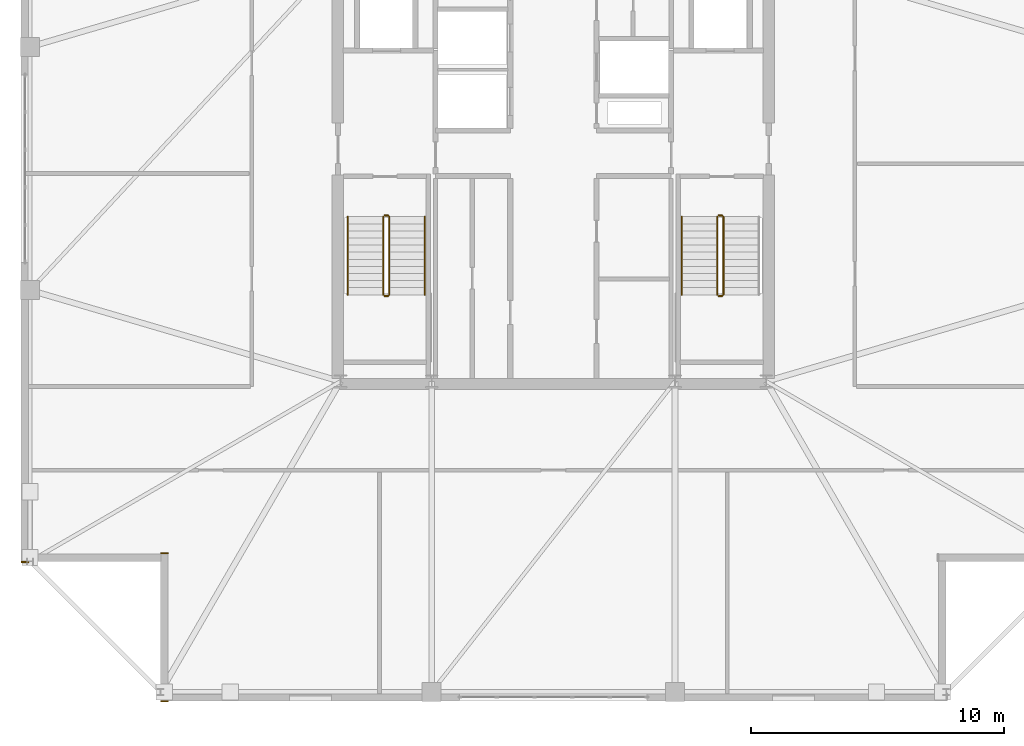
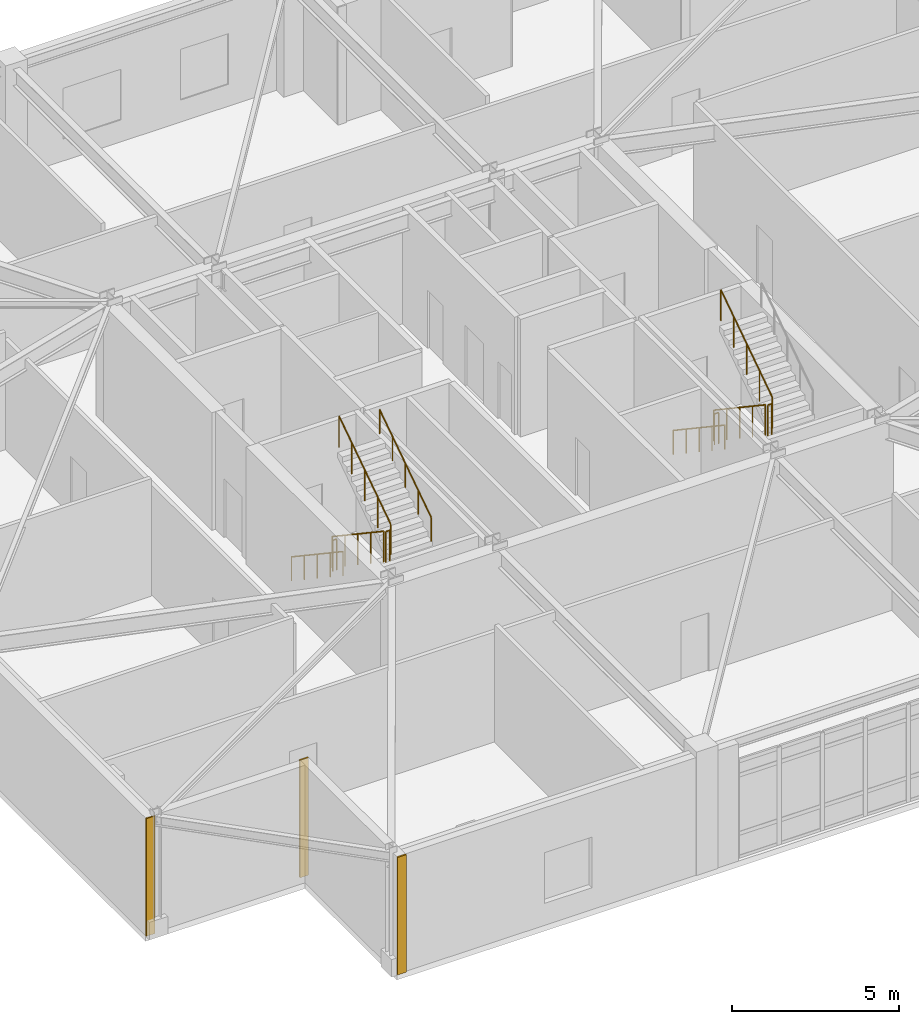
# One storey, part 14 of 16: 11 railings, 3 coverings.
"""IFC4 building model written with IfcOpenShell, lengths in metres."""

from ifc_helpers import new_model, si_unit, direction, frame, frame_2d, origin, origin_2d, place, context, subcontext, project, spatial, rectangle, circle, extrude, material, layer, layer_set, type_object, element, save


model = new_model("IFC4")

# Units and contexts
model_context = context("Model", 3, precision=1e-05, world=origin(), true_north=direction((0.0, 1.0)))
body_context = subcontext(model_context, "Body", "Model", "MODEL_VIEW")
ifc_project = project(units=[si_unit("LENGTHUNIT", "METRE"), si_unit("AREAUNIT", "SQUARE_METRE"), si_unit("VOLUMEUNIT", "CUBIC_METRE"), si_unit("PLANEANGLEUNIT", "RADIAN"), si_unit("MASSUNIT", "GRAM", prefix="KILO")], contexts=[model_context])

# Site, building, storey
site_placement = place(None, origin())
site = spatial("IfcSite", under=ifc_project, at=site_placement, CompositionType="ELEMENT")
building_placement = place(site_placement, origin())
building = spatial("IfcBuilding", under=site, at=building_placement, Name="Cairnveth Concourse Tower", CompositionType="ELEMENT")
storey_placement = place(building_placement, frame((0.0, 0.0, 315.5)))
storey = spatial("IfcBuildingStorey", under=building, at=storey_placement, Name="L87", CompositionType="ELEMENT", Elevation=315.5)

# Coverings
ifc_material_1 = material(Name="Dressed Melbourne Bluestone Cladding", Category="masonry")
ifc_layer = layer(ifc_material_1, 0.050048828125)
ifc_layer_set = layer_set([ifc_layer], Name="Dressed Melbourne Bluestone Cladding")
covering_type = type_object("IfcCoveringType", Name="DRESSED BLUESTONE PLINTH CLADDING 50", PredefinedType="CLADDING", material=ifc_layer_set)
for number, where, z_axis, x_axis, name in (
    (1, (36.800048828125, 17.97998046875, 0.0), (0.0, 0.0, 1.0), (-1.0, 0.0, 0.0), "Melbourne Bluestone Corner Quoin L87-1330"),
    (2, (36.800048828125, 23.820068359375, 0.0), (0.0, 0.0, 1.0), (-1.0, 0.0, 0.0), "Melbourne Bluestone Corner Quoin L87-1331"),
    (3, (31.300048828125, 23.47998046875, 0.0), (0.0, 0.0, 1.0), (-1.0, 0.0, 0.0), "Melbourne Bluestone Corner Quoin L87-1332"),
):
    element("IfcCovering", number, at=place(storey_placement, frame(where, z_axis=z_axis, x_axis=x_axis)), inside=storey, type_object=covering_type, Name=name, PredefinedType="CLADDING", context=body_context, shape_type="SweptSolid", body=[
        extrude(rectangle(XDim=0.300048828125, YDim=0.050048828125, at=frame_2d((0.14990234375, 0.0))), origin(), (0.0, 0.0, 1.0), 4.2900390625),
    ])

# Railings
ifc_material_2 = material(Name="Steel Grade 350", Category="steel")
railing_type_1 = type_object("IfcRailingType", Name="STAIR GUARDRAIL 1150", PredefinedType="GUARDRAIL", material=ifc_material_2)
railing_1_placement = place(storey_placement, frame((45.2900390625, 37.10009765625, 0.1875)))
element("IfcRailing", 4, at=railing_1_placement, inside=storey, type_object=railing_type_1, Name="L87 ST-1 stair guard 1", PredefinedType="GUARDRAIL", context=body_context, shape_type="SweptSolid", body=[
    extrude(circle(Radius=0.02392578125, at=origin_2d()), frame((0.0, 0.0, 1.1259765625), z_axis=(0.0, -0.830913701846, 0.55640131208), x_axis=(1.0, 0.0, 0.0)), (0.0, 0.0, 1.0), 3.706787109375),
    extrude(circle(Radius=0.02099609375, at=origin_2d()), origin(), (0.0, 0.0, 1.0), 1.101806640625),
    extrude(circle(Radius=0.02099609375, at=origin_2d()), frame((0.0, -0.77001953125, 0.515625)), (0.0, 0.0, 1.0), 1.101806640625),
    extrude(circle(Radius=0.02099609375, at=origin_2d()), frame((0.0, -1.5400390625, 1.03125)), (0.0, 0.0, 1.0), 1.101806640625),
    extrude(circle(Radius=0.02099609375, at=origin_2d()), frame((0.0, -2.31005859375, 1.546875)), (0.0, 0.0, 1.0), 1.101806640625),
    extrude(circle(Radius=0.02099609375, at=origin_2d()), frame((0.0, -3.080078125, 2.0625)), (0.0, 0.0, 1.0), 1.101806640625),
])
railing_2_placement = place(storey_placement, frame((45.340087890625, 33.969970703125, 2.25)))
element("IfcRailing", 5, at=railing_2_placement, inside=storey, type_object=railing_type_1, Name="L87 ST-1 stair guard 2", PredefinedType="GUARDRAIL", context=body_context, shape_type="SweptSolid", body=[
    extrude(circle(Radius=0.02392578125, at=origin_2d()), frame((0.0, 0.0, 1.1259765625), z_axis=(1.0, 0.0, 0.0), x_axis=(0.0, 1.0, 0.0)), (0.0, 0.0, 1.0), 0.139892578125),
    extrude(circle(Radius=0.02099609375, at=origin_2d()), origin(), (0.0, 0.0, 1.0), 1.101806640625),
    extrude(circle(Radius=0.02099609375, at=origin_2d()), frame((0.139892578125, 0.0, 0.0)), (0.0, 0.0, 1.0), 1.101806640625),
])
railing_3_placement = place(storey_placement, frame((45.530029296875, 34.02001953125, 2.4375)))
element("IfcRailing", 6, at=railing_3_placement, inside=storey, type_object=railing_type_1, Name="L87 ST-1 stair guard 3", PredefinedType="GUARDRAIL", context=body_context, shape_type="SweptSolid", body=[
    extrude(circle(Radius=0.02392578125, at=origin_2d()), frame((0.0, 0.0, 1.1259765625), z_axis=(0.0, 0.830913701846, 0.55640131208), x_axis=(-1.0, 0.0, 0.0)), (0.0, 0.0, 1.0), 3.706787109375),
    extrude(circle(Radius=0.02099609375, at=origin_2d()), origin(), (0.0, 0.0, 1.0), 1.101806640625),
    extrude(circle(Radius=0.02099609375, at=origin_2d()), frame((0.0, 0.77001953125, 0.515625)), (0.0, 0.0, 1.0), 1.101806640625),
    extrude(circle(Radius=0.02099609375, at=origin_2d()), frame((0.0, 1.5400390625, 1.03125)), (0.0, 0.0, 1.0), 1.101806640625),
    extrude(circle(Radius=0.02099609375, at=origin_2d()), frame((0.0, 2.31005859375, 1.546875)), (0.0, 0.0, 1.0), 1.101806640625),
    extrude(circle(Radius=0.02099609375, at=origin_2d()), frame((0.0, 3.080078125, 2.0625)), (0.0, 0.0, 1.0), 1.101806640625),
])
railing_4_placement = place(storey_placement, frame((45.340087890625, 37.14990234375, 0.0)))
element("IfcRailing", 7, at=railing_4_placement, inside=storey, type_object=railing_type_1, Name="L87 ST-1 stair guard 4", PredefinedType="GUARDRAIL", context=body_context, shape_type="SweptSolid", body=[
    extrude(circle(Radius=0.02392578125, at=origin_2d()), frame((0.0, 0.0, 1.1259765625), z_axis=(1.0, 0.0, 0.0), x_axis=(0.0, 1.0, 0.0)), (0.0, 0.0, 1.0), 0.139892578125),
    extrude(circle(Radius=0.02099609375, at=origin_2d()), origin(), (0.0, 0.0, 1.0), 1.101806640625),
    extrude(circle(Radius=0.02099609375, at=origin_2d()), frame((0.139892578125, 0.0, 0.0)), (0.0, 0.0, 1.0), 1.101806640625),
])
railing_5_placement = place(storey_placement, frame((58.469970703125, 37.10009765625, 0.1875)))
element("IfcRailing", 8, at=railing_5_placement, inside=storey, type_object=railing_type_1, Name="L87 ST-2 stair guard 1", PredefinedType="GUARDRAIL", context=body_context, shape_type="SweptSolid", body=[
    extrude(circle(Radius=0.02392578125, at=origin_2d()), frame((0.0, 0.0, 1.1259765625), z_axis=(0.0, -0.830913701846, 0.55640131208), x_axis=(1.0, 0.0, 0.0)), (0.0, 0.0, 1.0), 3.706787109375),
    extrude(circle(Radius=0.02099609375, at=origin_2d()), origin(), (0.0, 0.0, 1.0), 1.101806640625),
    extrude(circle(Radius=0.02099609375, at=origin_2d()), frame((0.0, -0.77001953125, 0.515625)), (0.0, 0.0, 1.0), 1.101806640625),
    extrude(circle(Radius=0.02099609375, at=origin_2d()), frame((0.0, -1.5400390625, 1.03125)), (0.0, 0.0, 1.0), 1.101806640625),
    extrude(circle(Radius=0.02099609375, at=origin_2d()), frame((0.0, -2.31005859375, 1.546875)), (0.0, 0.0, 1.0), 1.101806640625),
    extrude(circle(Radius=0.02099609375, at=origin_2d()), frame((0.0, -3.080078125, 2.0625)), (0.0, 0.0, 1.0), 1.101806640625),
])
railing_6_placement = place(storey_placement, frame((58.52001953125, 33.969970703125, 2.25)))
element("IfcRailing", 9, at=railing_6_placement, inside=storey, type_object=railing_type_1, Name="L87 ST-2 stair guard 2", PredefinedType="GUARDRAIL", context=body_context, shape_type="SweptSolid", body=[
    extrude(circle(Radius=0.02392578125, at=origin_2d()), frame((0.0, 0.0, 1.1259765625), z_axis=(1.0, 0.0, 0.0), x_axis=(0.0, 1.0, 0.0)), (0.0, 0.0, 1.0), 0.139892578125),
    extrude(circle(Radius=0.02099609375, at=origin_2d()), origin(), (0.0, 0.0, 1.0), 1.101806640625),
    extrude(circle(Radius=0.02099609375, at=origin_2d()), frame((0.139892578125, 0.0, 0.0)), (0.0, 0.0, 1.0), 1.101806640625),
])
railing_7_placement = place(storey_placement, frame((58.7099609375, 34.02001953125, 2.4375)))
element("IfcRailing", 10, at=railing_7_placement, inside=storey, type_object=railing_type_1, Name="L87 ST-2 stair guard 3", PredefinedType="GUARDRAIL", context=body_context, shape_type="SweptSolid", body=[
    extrude(circle(Radius=0.02392578125, at=origin_2d()), frame((0.0, 0.0, 1.1259765625), z_axis=(0.0, 0.830913701846, 0.55640131208), x_axis=(-1.0, 0.0, 0.0)), (0.0, 0.0, 1.0), 3.706787109375),
    extrude(circle(Radius=0.02099609375, at=origin_2d()), origin(), (0.0, 0.0, 1.0), 1.101806640625),
    extrude(circle(Radius=0.02099609375, at=origin_2d()), frame((0.0, 0.77001953125, 0.515625)), (0.0, 0.0, 1.0), 1.101806640625),
    extrude(circle(Radius=0.02099609375, at=origin_2d()), frame((0.0, 1.5400390625, 1.03125)), (0.0, 0.0, 1.0), 1.101806640625),
    extrude(circle(Radius=0.02099609375, at=origin_2d()), frame((0.0, 2.31005859375, 1.546875)), (0.0, 0.0, 1.0), 1.101806640625),
    extrude(circle(Radius=0.02099609375, at=origin_2d()), frame((0.0, 3.080078125, 2.0625)), (0.0, 0.0, 1.0), 1.101806640625),
])
railing_8_placement = place(storey_placement, frame((58.52001953125, 37.14990234375, 0.0)))
element("IfcRailing", 11, at=railing_8_placement, inside=storey, type_object=railing_type_1, Name="L87 ST-2 stair guard 4", PredefinedType="GUARDRAIL", context=body_context, shape_type="SweptSolid", body=[
    extrude(circle(Radius=0.02392578125, at=origin_2d()), frame((0.0, 0.0, 1.1259765625), z_axis=(1.0, 0.0, 0.0), x_axis=(0.0, 1.0, 0.0)), (0.0, 0.0, 1.0), 0.139892578125),
    extrude(circle(Radius=0.02099609375, at=origin_2d()), origin(), (0.0, 0.0, 1.0), 1.101806640625),
    extrude(circle(Radius=0.02099609375, at=origin_2d()), frame((0.139892578125, 0.0, 0.0)), (0.0, 0.0, 1.0), 1.101806640625),
])
railing_type_2 = type_object("IfcRailingType", Name="STAIR WALL HANDRAIL 900", PredefinedType="HANDRAIL", material=ifc_material_2)
railing_9_placement = place(storey_placement, frame((43.889892578125, 37.10009765625, 0.1875)))
element("IfcRailing", 12, at=railing_9_placement, inside=storey, type_object=railing_type_2, Name="L87 ST-1 stair handrail 1", PredefinedType="HANDRAIL", context=body_context, shape_type="SweptSolid", body=[
    extrude(circle(Radius=0.02392578125, at=origin_2d()), frame((0.0, 0.0, 0.8759765625), z_axis=(0.0, -0.830913701846, 0.55640131208), x_axis=(1.0, 0.0, 0.0)), (0.0, 0.0, 1.0), 3.706787109375),
    extrude(circle(Radius=0.02099609375, at=origin_2d()), origin(), (0.0, 0.0, 1.0), 0.851806640625),
    extrude(circle(Radius=0.02099609375, at=origin_2d()), frame((0.0, -0.77001953125, 0.515625)), (0.0, 0.0, 1.0), 0.851806640625),
    extrude(circle(Radius=0.02099609375, at=origin_2d()), frame((0.0, -1.5400390625, 1.03125)), (0.0, 0.0, 1.0), 0.851806640625),
    extrude(circle(Radius=0.02099609375, at=origin_2d()), frame((0.0, -2.31005859375, 1.546875)), (0.0, 0.0, 1.0), 0.851806640625),
    extrude(circle(Radius=0.02099609375, at=origin_2d()), frame((0.0, -3.080078125, 2.0625)), (0.0, 0.0, 1.0), 0.851806640625),
])
railing_10_placement = place(storey_placement, frame((46.929931640625, 34.02001953125, 2.4375)))
element("IfcRailing", 13, at=railing_10_placement, inside=storey, type_object=railing_type_2, Name="L87 ST-1 stair handrail 2", PredefinedType="HANDRAIL", context=body_context, shape_type="SweptSolid", body=[
    extrude(circle(Radius=0.02392578125, at=origin_2d()), frame((0.0, 0.0, 0.8759765625), z_axis=(0.0, 0.830913701846, 0.55640131208), x_axis=(-1.0, 0.0, 0.0)), (0.0, 0.0, 1.0), 3.706787109375),
    extrude(circle(Radius=0.02099609375, at=origin_2d()), origin(), (0.0, 0.0, 1.0), 0.851806640625),
    extrude(circle(Radius=0.02099609375, at=origin_2d()), frame((0.0, 0.77001953125, 0.515625)), (0.0, 0.0, 1.0), 0.851806640625),
    extrude(circle(Radius=0.02099609375, at=origin_2d()), frame((0.0, 1.5400390625, 1.03125)), (0.0, 0.0, 1.0), 0.851806640625),
    extrude(circle(Radius=0.02099609375, at=origin_2d()), frame((0.0, 2.31005859375, 1.546875)), (0.0, 0.0, 1.0), 0.851806640625),
    extrude(circle(Radius=0.02099609375, at=origin_2d()), frame((0.0, 3.080078125, 2.0625)), (0.0, 0.0, 1.0), 0.851806640625),
])
railing_11_placement = place(storey_placement, frame((57.070068359375, 37.10009765625, 0.1875)))
element("IfcRailing", 14, at=railing_11_placement, inside=storey, type_object=railing_type_2, Name="L87 ST-2 stair handrail 1", PredefinedType="HANDRAIL", context=body_context, shape_type="SweptSolid", body=[
    extrude(circle(Radius=0.02392578125, at=origin_2d()), frame((0.0, 0.0, 0.8759765625), z_axis=(0.0, -0.830913701846, 0.55640131208), x_axis=(1.0, 0.0, 0.0)), (0.0, 0.0, 1.0), 3.706787109375),
    extrude(circle(Radius=0.02099609375, at=origin_2d()), origin(), (0.0, 0.0, 1.0), 0.851806640625),
    extrude(circle(Radius=0.02099609375, at=origin_2d()), frame((0.0, -0.77001953125, 0.515625)), (0.0, 0.0, 1.0), 0.851806640625),
    extrude(circle(Radius=0.02099609375, at=origin_2d()), frame((0.0, -1.5400390625, 1.03125)), (0.0, 0.0, 1.0), 0.851806640625),
    extrude(circle(Radius=0.02099609375, at=origin_2d()), frame((0.0, -2.31005859375, 1.546875)), (0.0, 0.0, 1.0), 0.851806640625),
    extrude(circle(Radius=0.02099609375, at=origin_2d()), frame((0.0, -3.080078125, 2.0625)), (0.0, 0.0, 1.0), 0.851806640625),
])

save(model, "model.ifc")
